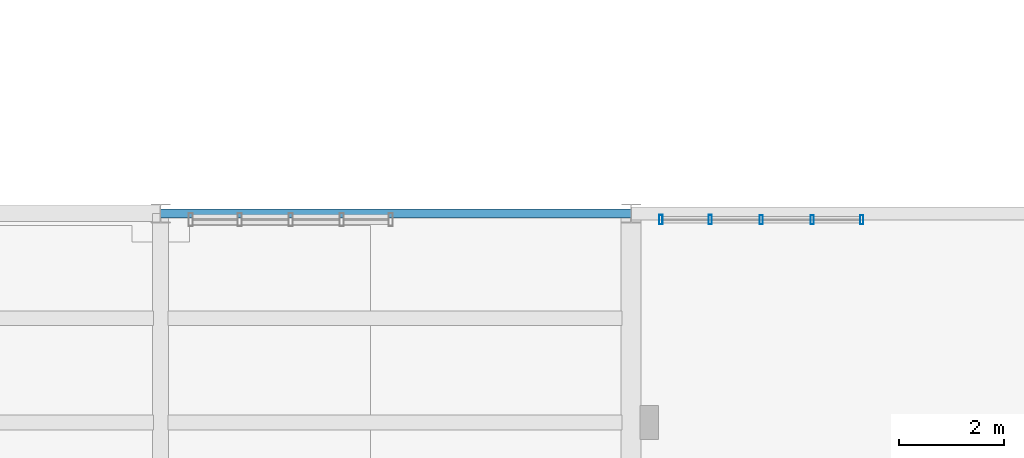
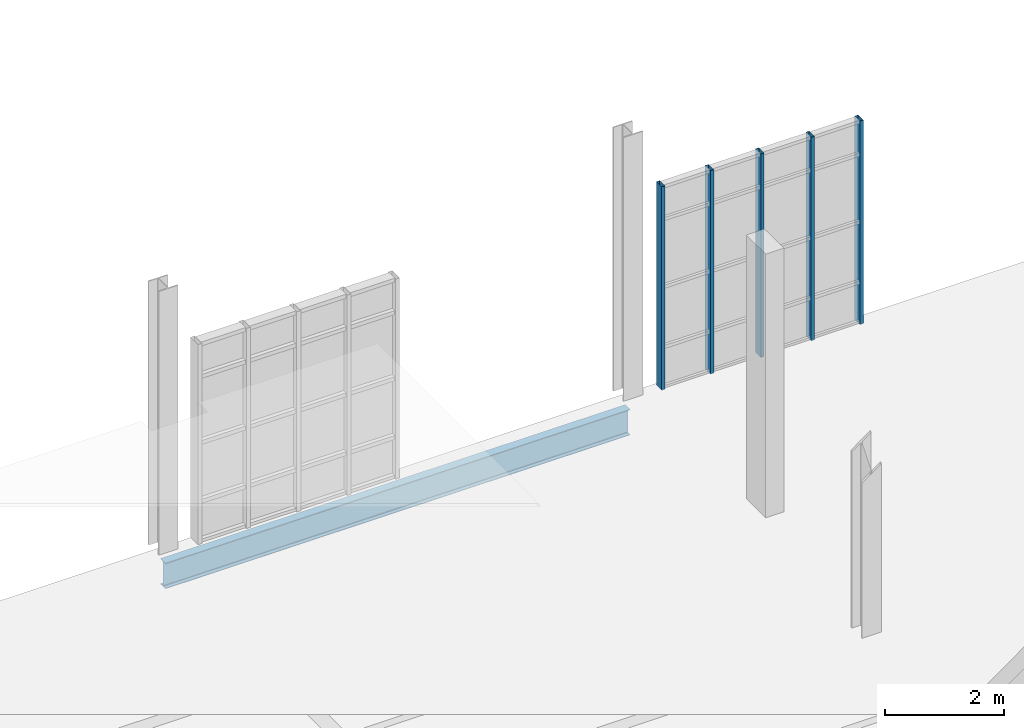
# One storey, part 110 of 189: 5 members, 1 beam, 1 element without a shape of its own.
"""IFC4 building model written with IfcOpenShell, lengths in metres."""

from ifc_helpers import new_model, si_unit, direction, frame, origin, origin_2d, place, context, subcontext, project, spatial, hollow_rectangle, i_section, extrude, material, layer, layer_set, material_profile, profile_set, type_object, element, aggregate, save


model = new_model("IFC4")

# Units and contexts
model_context = context("Model", 3, precision=1e-05, world=origin(), true_north=direction((0.0, 1.0)))
body_context = subcontext(model_context, "Body", "Model", "MODEL_VIEW")
ifc_project = project(units=[si_unit("LENGTHUNIT", "METRE"), si_unit("AREAUNIT", "SQUARE_METRE"), si_unit("VOLUMEUNIT", "CUBIC_METRE"), si_unit("PLANEANGLEUNIT", "RADIAN"), si_unit("MASSUNIT", "GRAM", prefix="KILO"), si_unit("THERMODYNAMICTEMPERATUREUNIT", "KELVIN"), si_unit("POWERUNIT", "WATT")], contexts=[model_context])

# Site, building, storey
site_placement = place(None, origin())
site = spatial("IfcSite", under=ifc_project, at=site_placement, CompositionType="ELEMENT")
building_placement = place(site_placement, origin())
building = spatial("IfcBuilding", under=site, at=building_placement, Name="Zelmaris Science Centre", CompositionType="ELEMENT")
storey_placement = place(building_placement, origin())
storey = spatial("IfcBuildingStorey", under=building, at=storey_placement, Name="L00", CompositionType="ELEMENT", Elevation=0.0)

# Curtain wall, members
ifc_material_1 = material(Name="Anodised architectural aluminium 6063-T6", Category="aluminium")
ifc_layer = layer(ifc_material_1, 0.2099609375, Name="Anodised architectural aluminium 6063-T6")
ifc_layer_set = layer_set([ifc_layer], Name="Anodised architectural aluminium 6063-T6")
curtain_wall_type = type_object("IfcCurtainWallType", Name="Curtain Wall CW-03", PredefinedType="USERDEFINED", material=ifc_layer_set)
curtain_wall_placement = place(storey_placement, origin())
curtain_wall = element("IfcCurtainWall", 1, at=curtain_wall_placement, inside=storey, type_object=curtain_wall_type, Name="L00 Unitised curtain wall 99", ObjectType="GLAZED CURTAIN WALL", PredefinedType="USERDEFINED")
ifc_material_profile_1 = material_profile(ifc_material_1, hollow_rectangle(XDim=0.06494140625, YDim=0.179931640625, WallThickness=0.00390625, at=origin_2d()), Name="ALU-MUL-65X180")
ifc_profile_set_1 = profile_set([ifc_material_profile_1], Name="Anodised architectural aluminium 6063-T6")
member_type = type_object("IfcMemberType", Name="ALU-MUL-65X180", PredefinedType="MULLION", material=ifc_profile_set_1)
member_1_placement = place(storey_placement, frame((144.568603515625, 55.881591796875, -0.014892578125), z_axis=(0.0, 0.0, 1.0), x_axis=(0.999999981234, -0.000193731546, 0.0)))
member_1 = element("IfcMember", 2, at=member_1_placement, type_object=member_type, Name="CW-03 mullion 1", PredefinedType="MULLION", context=body_context, shape_type="SweptSolid", body=[
    extrude(hollow_rectangle(XDim=0.06494140625, YDim=0.179931640625, WallThickness=0.00390625, at=origin_2d()), origin(), (0.0, 0.0, 1.0), 4.16796875),
])
member_2_placement = place(storey_placement, frame((145.514892578125, 55.88134765625, -0.014892578125), z_axis=(0.0, 0.0, 1.0), x_axis=(0.999999981234, -0.000193731546, 0.0)))
member_2 = element("IfcMember", 3, at=member_2_placement, type_object=member_type, Name="CW-03 mullion 2", PredefinedType="MULLION", context=body_context, shape_type="SweptSolid", body=[
    extrude(hollow_rectangle(XDim=0.06494140625, YDim=0.179931640625, WallThickness=0.00390625, at=origin_2d()), origin(), (0.0, 0.0, 1.0), 4.16796875),
])
member_3_placement = place(storey_placement, frame((146.489990234375, 55.881103515625, -0.014892578125), z_axis=(0.0, 0.0, 1.0), x_axis=(0.999999981234, -0.000193731546, 0.0)))
member_3 = element("IfcMember", 4, at=member_3_placement, type_object=member_type, Name="CW-03 mullion 3", PredefinedType="MULLION", context=body_context, shape_type="SweptSolid", body=[
    extrude(hollow_rectangle(XDim=0.06494140625, YDim=0.179931640625, WallThickness=0.00390625, at=origin_2d()), origin(), (0.0, 0.0, 1.0), 4.16796875),
])
member_4_placement = place(storey_placement, frame((147.465087890625, 55.881103515625, -0.014892578125), z_axis=(0.0, 0.0, 1.0), x_axis=(0.999999981234, -0.000193731546, 0.0)))
member_4 = element("IfcMember", 5, at=member_4_placement, type_object=member_type, Name="CW-03 mullion 4", PredefinedType="MULLION", context=body_context, shape_type="SweptSolid", body=[
    extrude(hollow_rectangle(XDim=0.06494140625, YDim=0.179931640625, WallThickness=0.00390625, at=origin_2d()), origin(), (0.0, 0.0, 1.0), 4.16796875),
])
member_5_placement = place(storey_placement, frame((148.41162109375, 55.880859375, -0.014892578125), z_axis=(0.0, 0.0, 1.0), x_axis=(0.999999981234, -0.000193731546, 0.0)))
member_5 = element("IfcMember", 6, at=member_5_placement, type_object=member_type, Name="CW-03 mullion 5", PredefinedType="MULLION", context=body_context, shape_type="SweptSolid", body=[
    extrude(hollow_rectangle(XDim=0.06494140625, YDim=0.179931640625, WallThickness=0.00390625, at=origin_2d()), origin(), (0.0, 0.0, 1.0), 4.16796875),
])
aggregate(curtain_wall, [member_1, member_2, member_3, member_4, member_5])

# Beam
ifc_material_2 = material(Name="Steel ASTM A992 Grade 50", Category="steel")
ifc_material_profile_2 = material_profile(ifc_material_2, i_section(OverallWidth=0.1650390625, OverallDepth=0.52587890625, WebThickness=0.0087890625, FlangeThickness=0.011474609375, FilletRadius=0.013916015625, at=origin_2d()), Name="W21X44")
ifc_profile_set_2 = profile_set([ifc_material_profile_2], Name="Steel ASTM A992 Grade 50")
beam_type = type_object("IfcBeamType", Name="Beam G-40 W21X44", PredefinedType="BEAM", material=ifc_profile_set_2)
beam_placement = place(storey_placement, frame((135.0, 56.0, -0.552978515625), z_axis=(1.0, 0.0, 0.0), x_axis=(0.0, 1.0, 0.0)))
element("IfcBeam", 7, at=beam_placement, inside=storey, type_object=beam_type, Name="L00 East-west girder 153", PredefinedType="BEAM", context=body_context, shape_type="SweptSolid", body=[
    extrude(i_section(OverallWidth=0.1650390625, OverallDepth=0.52587890625, WebThickness=0.0087890625, FlangeThickness=0.011474609375, FilletRadius=0.013916015625, at=origin_2d()), origin(), (0.0, 0.0, 1.0), 9.0),
])

save(model, "model.ifc")
